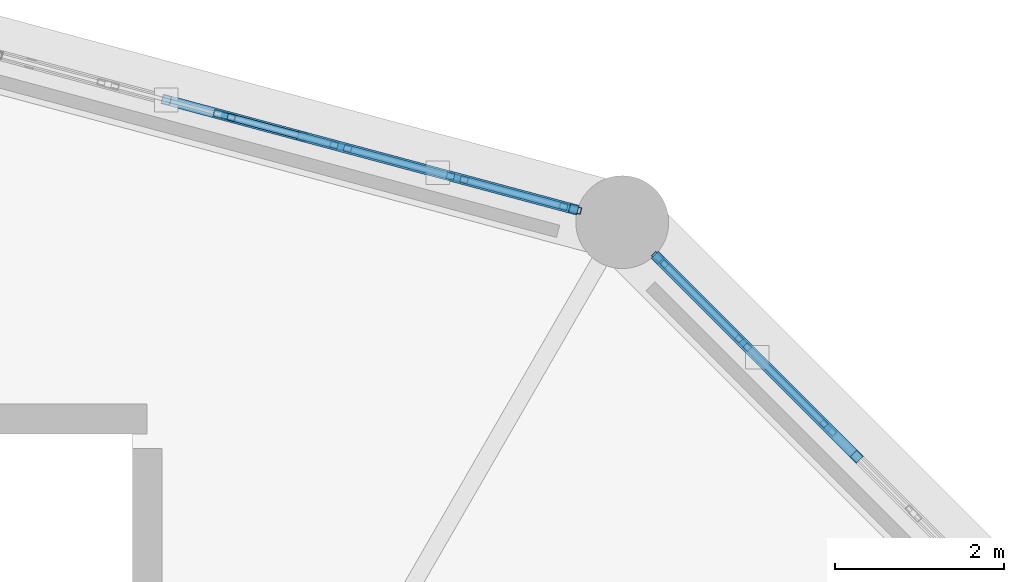
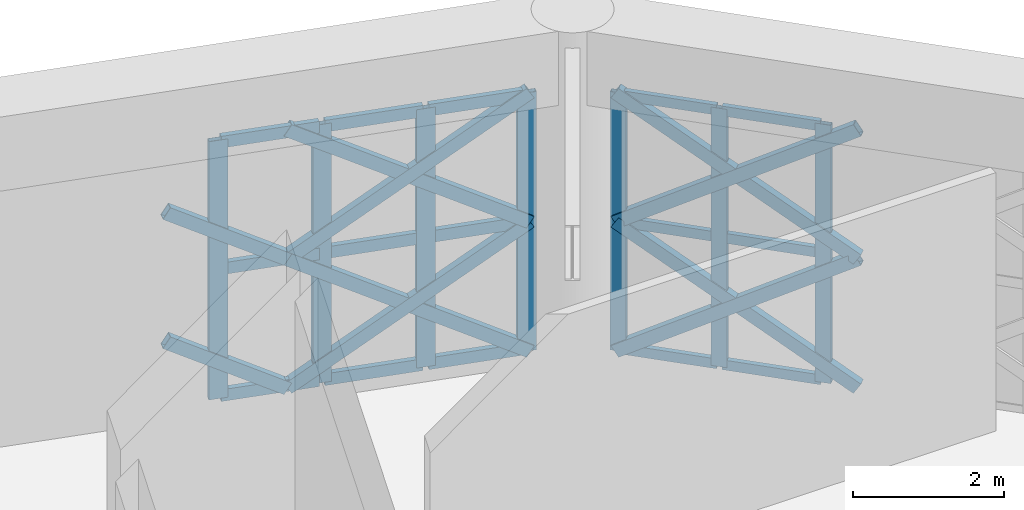
# One storey, part 30 of 72: 36 members, 2 elements without a shape of their own.
"""IFC4 building model written with IfcOpenShell, lengths in metres."""

from ifc_helpers import new_model, si_unit, direction, frame, origin, origin_2d, place, context, subcontext, project, spatial, hollow_rectangle, extrude, material, material_profile, profile_set, type_object, element, aggregate, save


model = new_model("IFC4")

# Units and contexts
model_context = context("Model", 3, precision=1e-05, world=origin(), true_north=direction((0.0, 1.0)))
body_context = subcontext(model_context, "Body", "Model", "MODEL_VIEW")
ifc_project = project(units=[si_unit("LENGTHUNIT", "METRE"), si_unit("AREAUNIT", "SQUARE_METRE"), si_unit("VOLUMEUNIT", "CUBIC_METRE"), si_unit("PLANEANGLEUNIT", "RADIAN"), si_unit("MASSUNIT", "GRAM", prefix="KILO")], contexts=[model_context])

# Site, building, storey
site_placement = place(None, origin())
site = spatial("IfcSite", under=ifc_project, at=site_placement, CompositionType="ELEMENT")
building_placement = place(site_placement, origin())
building = spatial("IfcBuilding", under=site, at=building_placement, Name="Haizhuo Lancet Aquarium", CompositionType="ELEMENT")
storey_placement = place(building_placement, frame((0.0, 0.0, 21.60009765625)))
storey = spatial("IfcBuildingStorey", under=building, at=storey_placement, Name="L04", CompositionType="ELEMENT", Elevation=21.60009765625)

# Curtain wall, members
ifc_material_1 = material(Name="Aluminium 6063-T6", Category="aluminium")
curtain_wall_type = type_object("IfcCurtainWallType", Name="CWO-9990x4180", PredefinedType="NOTDEFINED", material=ifc_material_1)
curtain_wall_1_placement = place(storey_placement, origin())
curtain_wall_1 = element("IfcCurtainWall", 1, at=curtain_wall_1_placement, inside=storey, type_object=curtain_wall_type, Name="L04 curtain wall CW-V1-L04-02", PredefinedType="NOTDEFINED")
ifc_material_profile_1 = material_profile(ifc_material_1, hollow_rectangle(XDim=0.074951171875, YDim=0.219970703125, WallThickness=0.0048828125, at=origin_2d()), Name="ALU-M 75x220x5")
ifc_profile_set_1 = profile_set([ifc_material_profile_1], Name="Aluminium 6063-T6")
member_type_1 = type_object("IfcMemberType", Name="CW-MUL-2", PredefinedType="MULLION", material=ifc_profile_set_1)
member_1_placement = place(storey_placement, frame((11.248046875, 18.258056640625, 0.0), z_axis=(0.0, 0.0, 1.0), x_axis=(0.707106781187, 0.707106781187, 0.0)))
member_1 = element("IfcMember", 2, at=member_1_placement, type_object=member_type_1, Name="CWO-99x41 mullion 1", PredefinedType="MULLION", context=body_context, shape_type="SweptSolid", body=[
    extrude(hollow_rectangle(XDim=0.074951171875, YDim=0.219970703125, WallThickness=0.0048828125, at=origin_2d()), origin(), (0.0, 0.0, 1.0), 4.184814453125),
])
member_2_placement = place(storey_placement, frame((12.22998046875, 17.27587890625, 0.0), z_axis=(0.0, 0.0, 1.0), x_axis=(0.707106781187, 0.707106781187, 0.0)))
member_2 = element("IfcMember", 3, at=member_2_placement, type_object=member_type_1, Name="CWO-99x41 mullion 2", PredefinedType="MULLION", context=body_context, shape_type="SweptSolid", body=[
    extrude(hollow_rectangle(XDim=0.074951171875, YDim=0.219970703125, WallThickness=0.0048828125, at=origin_2d()), origin(), (0.0, 0.0, 1.0), 4.184814453125),
])
member_3_placement = place(storey_placement, frame((13.239013671875, 16.26708984375, 0.0), z_axis=(0.0, 0.0, 1.0), x_axis=(0.707106781187, 0.707106781187, 0.0)))
member_3 = element("IfcMember", 4, at=member_3_placement, type_object=member_type_1, Name="CWO-99x41 mullion 3", PredefinedType="MULLION", context=body_context, shape_type="SweptSolid", body=[
    extrude(hollow_rectangle(XDim=0.074951171875, YDim=0.219970703125, WallThickness=0.0048828125, at=origin_2d()), origin(), (0.0, 0.0, 1.0), 4.184814453125),
])

curtain_wall_2_placement = place(storey_placement, origin())
curtain_wall_2 = element("IfcCurtainWall", 5, at=curtain_wall_2_placement, inside=storey, type_object=curtain_wall_type, Name="L04 curtain wall CW-V1-L04-03", PredefinedType="NOTDEFINED")
ifc_material_profile_2 = material_profile(ifc_material_1, hollow_rectangle(XDim=0.080078125, YDim=0.260009765625, WallThickness=0.0048828125, at=origin_2d()), Name="ALU-M 80x260x5")
ifc_profile_set_2 = profile_set([ifc_material_profile_2], Name="Aluminium 6063-T6")
member_type_2 = type_object("IfcMemberType", Name="CW-MUL-3", PredefinedType="MULLION", material=ifc_profile_set_2)
member_4_placement = place(storey_placement, frame((6.089111328125, 19.968017578125, 0.0), z_axis=(0.0, 0.0, 1.0), x_axis=(0.258852762117, 0.965916791212, 0.0)))
member_4 = element("IfcMember", 6, at=member_4_placement, type_object=member_type_2, Name="CWO-99x41 mullion 5", PredefinedType="MULLION", context=body_context, shape_type="SweptSolid", body=[
    extrude(hollow_rectangle(XDim=0.080078125, YDim=0.260009765625, WallThickness=0.0048828125, at=origin_2d()), origin(), (0.0, 0.0, 1.0), 4.184814453125),
])
member_5_placement = place(storey_placement, frame((7.468017578125, 19.59912109375, 0.0), z_axis=(0.0, 0.0, 1.0), x_axis=(0.258852762117, 0.965916791212, 0.0)))
member_5 = element("IfcMember", 7, at=member_5_placement, type_object=member_type_2, Name="CWO-99x41 mullion 6", PredefinedType="MULLION", context=body_context, shape_type="SweptSolid", body=[
    extrude(hollow_rectangle(XDim=0.080078125, YDim=0.260009765625, WallThickness=0.0048828125, at=origin_2d()), origin(), (0.0, 0.0, 1.0), 4.184814453125),
])
member_6_placement = place(storey_placement, frame((8.845947265625, 19.22900390625, 0.0), z_axis=(0.0, 0.0, 1.0), x_axis=(0.258852762117, 0.965916791212, 0.0)))
member_6 = element("IfcMember", 8, at=member_6_placement, type_object=member_type_2, Name="CWO-99x41 mullion 7", PredefinedType="MULLION", context=body_context, shape_type="SweptSolid", body=[
    extrude(hollow_rectangle(XDim=0.080078125, YDim=0.260009765625, WallThickness=0.0048828125, at=origin_2d()), origin(), (0.0, 0.0, 1.0), 4.184814453125),
])
member_7_placement = place(storey_placement, frame((10.18603515625, 18.8701171875, 0.0), z_axis=(0.0, 0.0, 1.0), x_axis=(0.258852762117, 0.965916791212, 0.0)))
member_7 = element("IfcMember", 9, at=member_7_placement, type_object=member_type_2, Name="CWO-99x41 mullion 8", PredefinedType="MULLION", context=body_context, shape_type="SweptSolid", body=[
    extrude(hollow_rectangle(XDim=0.080078125, YDim=0.260009765625, WallThickness=0.0048828125, at=origin_2d()), origin(), (0.0, 0.0, 1.0), 4.184814453125),
])

# Member
ifc_material_profile_3 = material_profile(ifc_material_1, hollow_rectangle(XDim=0.074951171875, YDim=0.159912109375, WallThickness=0.00390625, at=origin_2d()), Name="ALU-T 75x160x4")
ifc_profile_set_3 = profile_set([ifc_material_profile_3], Name="Aluminium 6063-T6")
member_type_3 = type_object("IfcMemberType", Name="CW-TRN-2", PredefinedType="NOTDEFINED", material=ifc_profile_set_3)
member_8_placement = place(storey_placement, frame((11.27392578125, 18.23193359375, 0.037841796875), z_axis=(0.70719958344, -0.707013966752, 0.0), x_axis=(0.707013966752, 0.70719958344, 0.0)))
member_8 = element("IfcMember", 10, at=member_8_placement, type_object=member_type_3, Name="CWO-99x41 transom 1.1", ObjectType="TRANSOM", PredefinedType="USERDEFINED", context=body_context, shape_type="SweptSolid", body=[
    extrude(hollow_rectangle(XDim=0.074951171875, YDim=0.159912109375, WallThickness=0.00390625, at=origin_2d()), origin(), (0.0, 0.0, 1.0), 1.315185546875),
])

member_9_placement = place(storey_placement, frame((11.27392578125, 18.23193359375, 2.093017578125), z_axis=(0.70719958344, -0.707013966752, 0.0), x_axis=(0.707013966752, 0.70719958344, 0.0)))
member_9 = element("IfcMember", 11, at=member_9_placement, type_object=member_type_3, Name="CWO-99x41 transom 1.2", ObjectType="TRANSOM", PredefinedType="USERDEFINED", context=body_context, shape_type="SweptSolid", body=[
    extrude(hollow_rectangle(XDim=0.074951171875, YDim=0.159912109375, WallThickness=0.00390625, at=origin_2d()), origin(), (0.0, 0.0, 1.0), 1.315185546875),
])

member_10_placement = place(storey_placement, frame((11.27392578125, 18.23193359375, 4.14697265625), z_axis=(0.70719958344, -0.707013966752, 0.0), x_axis=(0.707013966752, 0.70719958344, 0.0)))
member_10 = element("IfcMember", 12, at=member_10_placement, type_object=member_type_3, Name="CWO-99x41 transom 1.3", ObjectType="TRANSOM", PredefinedType="USERDEFINED", context=body_context, shape_type="SweptSolid", body=[
    extrude(hollow_rectangle(XDim=0.074951171875, YDim=0.159912109375, WallThickness=0.00390625, at=origin_2d()), origin(), (0.0, 0.0, 1.0), 1.315185546875),
])

member_11_placement = place(storey_placement, frame((12.257080078125, 17.2490234375, 0.037841796875), z_axis=(0.707016479575, -0.707197071268, 0.0), x_axis=(0.707197071268, 0.707016479575, 0.0)))
member_11 = element("IfcMember", 13, at=member_11_placement, type_object=member_type_3, Name="CWO-99x41 transom 2.1", ObjectType="TRANSOM", PredefinedType="USERDEFINED", context=body_context, shape_type="SweptSolid", body=[
    extrude(hollow_rectangle(XDim=0.074951171875, YDim=0.159912109375, WallThickness=0.00390625, at=origin_2d()), origin(), (0.0, 0.0, 1.0), 1.351806640625),
])

member_12_placement = place(storey_placement, frame((12.257080078125, 17.2490234375, 2.093017578125), z_axis=(0.707016479575, -0.707197071268, 0.0), x_axis=(0.707197071268, 0.707016479575, 0.0)))
member_12 = element("IfcMember", 14, at=member_12_placement, type_object=member_type_3, Name="CWO-99x41 transom 2.2", ObjectType="TRANSOM", PredefinedType="USERDEFINED", context=body_context, shape_type="SweptSolid", body=[
    extrude(hollow_rectangle(XDim=0.074951171875, YDim=0.159912109375, WallThickness=0.00390625, at=origin_2d()), origin(), (0.0, 0.0, 1.0), 1.351806640625),
])

member_13_placement = place(storey_placement, frame((12.257080078125, 17.2490234375, 4.14697265625), z_axis=(0.707016479575, -0.707197071268, 0.0), x_axis=(0.707197071268, 0.707016479575, 0.0)))
member_13 = element("IfcMember", 15, at=member_13_placement, type_object=member_type_3, Name="CWO-99x41 transom 2.3", ObjectType="TRANSOM", PredefinedType="USERDEFINED", context=body_context, shape_type="SweptSolid", body=[
    extrude(hollow_rectangle(XDim=0.074951171875, YDim=0.159912109375, WallThickness=0.00390625, at=origin_2d()), origin(), (0.0, 0.0, 1.0), 1.351806640625),
])

aggregate(curtain_wall_1, [member_1, member_2, member_3, member_8, member_9, member_10, member_11, member_12, member_13])

ifc_material_profile_4 = material_profile(ifc_material_1, hollow_rectangle(XDim=0.080078125, YDim=0.18994140625, WallThickness=0.0048828125, at=origin_2d()), Name="ALU-T 80x190x5")
ifc_profile_set_4 = profile_set([ifc_material_profile_4], Name="Aluminium 6063-T6")
member_type_4 = type_object("IfcMemberType", Name="CW-TRN-3", PredefinedType="NOTDEFINED", material=ifc_profile_set_4)
member_14_placement = place(storey_placement, frame((6.1279296875, 19.9580078125, 0.039794921875), z_axis=(0.965830666302, -0.259173926217, 0.0), x_axis=(0.259173926217, 0.965830666302, 0.0)))
member_14 = element("IfcMember", 16, at=member_14_placement, type_object=member_type_4, Name="CWO-99x41 transom 5.1", ObjectType="TRANSOM", PredefinedType="USERDEFINED", context=body_context, shape_type="SweptSolid", body=[
    extrude(hollow_rectangle(XDim=0.080078125, YDim=0.18994140625, WallThickness=0.0048828125, at=origin_2d()), origin(), (0.0, 0.0, 1.0), 1.34716796875),
])

member_15_placement = place(storey_placement, frame((6.1279296875, 19.9580078125, 2.093017578125), z_axis=(0.965830666302, -0.259173926217, 0.0), x_axis=(0.259173926217, 0.965830666302, 0.0)))
member_15 = element("IfcMember", 17, at=member_15_placement, type_object=member_type_4, Name="CWO-99x41 transom 5.2", ObjectType="TRANSOM", PredefinedType="USERDEFINED", context=body_context, shape_type="SweptSolid", body=[
    extrude(hollow_rectangle(XDim=0.080078125, YDim=0.18994140625, WallThickness=0.0048828125, at=origin_2d()), origin(), (0.0, 0.0, 1.0), 1.34716796875),
])

member_16_placement = place(storey_placement, frame((6.1279296875, 19.9580078125, 4.14501953125), z_axis=(0.965830666302, -0.259173926217, 0.0), x_axis=(0.259173926217, 0.965830666302, 0.0)))
member_16 = element("IfcMember", 18, at=member_16_placement, type_object=member_type_4, Name="CWO-99x41 transom 5.3", ObjectType="TRANSOM", PredefinedType="USERDEFINED", context=body_context, shape_type="SweptSolid", body=[
    extrude(hollow_rectangle(XDim=0.080078125, YDim=0.18994140625, WallThickness=0.0048828125, at=origin_2d()), origin(), (0.0, 0.0, 1.0), 1.34716796875),
])

member_17_placement = place(storey_placement, frame((7.506103515625, 19.589111328125, 0.039794921875), z_axis=(0.965879311718, -0.25899257749, 0.0), x_axis=(0.25899257749, 0.965879311718, 0.0)))
member_17 = element("IfcMember", 19, at=member_17_placement, type_object=member_type_4, Name="CWO-99x41 transom 6.1", ObjectType="TRANSOM", PredefinedType="USERDEFINED", context=body_context, shape_type="SweptSolid", body=[
    extrude(hollow_rectangle(XDim=0.080078125, YDim=0.18994140625, WallThickness=0.0048828125, at=origin_2d()), origin(), (0.0, 0.0, 1.0), 1.347900390625),
])

member_18_placement = place(storey_placement, frame((7.506103515625, 19.589111328125, 2.093017578125), z_axis=(0.965879311718, -0.25899257749, 0.0), x_axis=(0.25899257749, 0.965879311718, 0.0)))
member_18 = element("IfcMember", 20, at=member_18_placement, type_object=member_type_4, Name="CWO-99x41 transom 6.2", ObjectType="TRANSOM", PredefinedType="USERDEFINED", context=body_context, shape_type="SweptSolid", body=[
    extrude(hollow_rectangle(XDim=0.080078125, YDim=0.18994140625, WallThickness=0.0048828125, at=origin_2d()), origin(), (0.0, 0.0, 1.0), 1.347900390625),
])

member_19_placement = place(storey_placement, frame((7.506103515625, 19.589111328125, 4.14501953125), z_axis=(0.965879311718, -0.25899257749, 0.0), x_axis=(0.25899257749, 0.965879311718, 0.0)))
member_19 = element("IfcMember", 21, at=member_19_placement, type_object=member_type_4, Name="CWO-99x41 transom 6.3", ObjectType="TRANSOM", PredefinedType="USERDEFINED", context=body_context, shape_type="SweptSolid", body=[
    extrude(hollow_rectangle(XDim=0.080078125, YDim=0.18994140625, WallThickness=0.0048828125, at=origin_2d()), origin(), (0.0, 0.0, 1.0), 1.347900390625),
])

member_20_placement = place(storey_placement, frame((8.885009765625, 19.218994140625, 0.039794921875), z_axis=(0.966023851958, -0.258452930816, 0.0), x_axis=(0.258452930816, 0.966023851958, 0.0)))
member_20 = element("IfcMember", 22, at=member_20_placement, type_object=member_type_4, Name="CWO-99x41 transom 7.1", ObjectType="TRANSOM", PredefinedType="USERDEFINED", context=body_context, shape_type="SweptSolid", body=[
    extrude(hollow_rectangle(XDim=0.080078125, YDim=0.18994140625, WallThickness=0.0048828125, at=origin_2d()), origin(), (0.0, 0.0, 1.0), 1.307373046875),
])

member_21_placement = place(storey_placement, frame((8.885009765625, 19.218994140625, 2.093017578125), z_axis=(0.966023851958, -0.258452930816, 0.0), x_axis=(0.258452930816, 0.966023851958, 0.0)))
member_21 = element("IfcMember", 23, at=member_21_placement, type_object=member_type_4, Name="CWO-99x41 transom 7.2", ObjectType="TRANSOM", PredefinedType="USERDEFINED", context=body_context, shape_type="SweptSolid", body=[
    extrude(hollow_rectangle(XDim=0.080078125, YDim=0.18994140625, WallThickness=0.0048828125, at=origin_2d()), origin(), (0.0, 0.0, 1.0), 1.307373046875),
])

member_22_placement = place(storey_placement, frame((8.885009765625, 19.218994140625, 4.14501953125), z_axis=(0.966023851958, -0.258452930816, 0.0), x_axis=(0.258452930816, 0.966023851958, 0.0)))
member_22 = element("IfcMember", 24, at=member_22_placement, type_object=member_type_4, Name="CWO-99x41 transom 7.3", ObjectType="TRANSOM", PredefinedType="USERDEFINED", context=body_context, shape_type="SweptSolid", body=[
    extrude(hollow_rectangle(XDim=0.080078125, YDim=0.18994140625, WallThickness=0.0048828125, at=origin_2d()), origin(), (0.0, 0.0, 1.0), 1.307373046875),
])

aggregate(curtain_wall_2, [member_4, member_5, member_6, member_7, member_14, member_15, member_16, member_17, member_18, member_19, member_20, member_21, member_22])

# Members
ifc_material_2 = material(Name="Steel S355", Category="steel")
ifc_material_profile_5 = material_profile(ifc_material_2, hollow_rectangle(XDim=0.1201171875, YDim=0.199951171875, WallThickness=0.008056640625, at=origin_2d()), Name="RHS 120x200x8")
ifc_profile_set_5 = profile_set([ifc_material_profile_5], Name="Steel S355")
member_type_5 = type_object("IfcMemberType", Name="MEM-LB-RHS120x200", PredefinedType="BRACE", material=ifc_profile_set_5)
member_23_placement = place(storey_placement, frame((11.220947265625, 18.284912109375, 0.0), z_axis=(0.598695261039, -0.598695261039, 0.532097706084), x_axis=(0.707106781187, 0.707106781187, 0.0)))
element("IfcMember", 25, at=member_23_placement, inside=storey, type_object=member_type_5, Name="Gothic lancet continuous diagonal brace CW-V1-L04-02 1A", PredefinedType="BRACE", context=body_context, shape_type="SweptSolid", body=[
    extrude(hollow_rectangle(XDim=0.1201171875, YDim=0.199951171875, WallThickness=0.008056640625, at=origin_2d()), origin(), (0.0, 0.0, 1.0), 3.93359375),
])
member_24_placement = place(storey_placement, frame((13.575927734375, 15.929931640625, 0.0), z_axis=(-0.598387663747, 0.598884148015, 0.532231135065), x_axis=(-0.707399943164, -0.706813497615, 0.0)))
element("IfcMember", 26, at=member_24_placement, inside=storey, type_object=member_type_5, Name="Gothic lancet split diagonal brace CW-V1-L04-02 1B1", PredefinedType="BRACE", context=body_context, shape_type="SweptSolid", body=[
    extrude(hollow_rectangle(XDim=0.1201171875, YDim=0.199951171875, WallThickness=0.008056640625, at=origin_2d()), origin(), (0.0, 0.0, 1.0), 1.967041015625),
])
member_25_placement = place(storey_placement, frame((12.39892578125, 17.10791015625, 1.046875), z_axis=(-0.599002830596, 0.598506247939, 0.531964171835), x_axis=(-0.706813497615, -0.707399943164, 0.0)))
element("IfcMember", 27, at=member_25_placement, inside=storey, type_object=member_type_5, Name="Gothic lancet split diagonal brace CW-V1-L04-02 1B2", PredefinedType="BRACE", context=body_context, shape_type="SweptSolid", body=[
    extrude(hollow_rectangle(XDim=0.1201171875, YDim=0.199951171875, WallThickness=0.008056640625, at=origin_2d()), origin(), (0.0, 0.0, 1.0), 1.966552734375),
])
member_26_placement = place(storey_placement, frame((11.220947265625, 18.284912109375, 2.093017578125), z_axis=(0.598794117865, -0.598794117865, 0.531875181616), x_axis=(0.707106781187, 0.707106781187, 0.0)))
element("IfcMember", 28, at=member_26_placement, inside=storey, type_object=member_type_5, Name="Gothic lancet continuous diagonal brace CW-V1-L04-02 2A", PredefinedType="BRACE", context=body_context, shape_type="SweptSolid", body=[
    extrude(hollow_rectangle(XDim=0.1201171875, YDim=0.199951171875, WallThickness=0.008056640625, at=origin_2d()), origin(), (0.0, 0.0, 1.0), 3.932861328125),
])
for number, where, z_axis, x_axis, name in (
    (29, (13.575927734375, 15.929931640625, 2.093017578125), (-0.59854577322, 0.599042388672, 0.531875148823), (-0.707399943164, -0.706813497615, 0.0), "Gothic lancet split diagonal brace CW-V1-L04-02 2B1"),
    (30, (12.39892578125, 17.10791015625, 3.138916015625), (-0.599042388672, 0.59854577322, 0.531875148823), (-0.706813497615, -0.707399943164, 0.0), "Gothic lancet split diagonal brace CW-V1-L04-02 2B2"),
):
    element("IfcMember", number, at=place(storey_placement, frame(where, z_axis=z_axis, x_axis=x_axis)), inside=storey, type_object=member_type_5, Name=name, PredefinedType="BRACE", context=body_context, shape_type="SweptSolid", body=[
        extrude(hollow_rectangle(XDim=0.1201171875, YDim=0.199951171875, WallThickness=0.008056640625, at=origin_2d()), origin(), (0.0, 0.0, 1.0), 1.966552734375),
    ])
member_27_placement = place(storey_placement, frame((7.008056640625, 19.721923828125, 0.0), z_axis=(-0.817682100833, 0.219223711867, 0.532294041046), x_axis=(-0.258958409476, -0.965888472942, 0.0)))
element("IfcMember", 31, at=member_27_placement, inside=storey, type_object=member_type_5, Name="Gothic lancet split diagonal brace CW-V1-L04-03 3B1", PredefinedType="BRACE", context=body_context, shape_type="SweptSolid", body=[
    extrude(hollow_rectangle(XDim=0.1201171875, YDim=0.199951171875, WallThickness=0.008056640625, at=origin_2d()), origin(), (0.0, 0.0, 1.0), 1.966796875),
])
member_28_placement = place(storey_placement, frame((7.008056640625, 19.721923828125, 2.093017578125), z_axis=(-0.817898204654, 0.219281650132, 0.53193804596), x_axis=(-0.258958409476, -0.965888472942, 0.0)))
element("IfcMember", 32, at=member_28_placement, inside=storey, type_object=member_type_5, Name="Gothic lancet split diagonal brace CW-V1-L04-03 4B1", PredefinedType="BRACE", context=body_context, shape_type="SweptSolid", body=[
    extrude(hollow_rectangle(XDim=0.1201171875, YDim=0.199951171875, WallThickness=0.008056640625, at=origin_2d()), origin(), (0.0, 0.0, 1.0), 1.96630859375),
])
member_29_placement = place(storey_placement, frame((7.008056640625, 19.721923828125, 0.0), z_axis=(0.817847065908, -0.219093886519, 0.532094019582), x_axis=(0.258766619754, 0.965939872094, 0.0)))
element("IfcMember", 33, at=member_29_placement, inside=storey, type_object=member_type_5, Name="Gothic lancet continuous diagonal brace CW-V1-L04-03 5A", PredefinedType="BRACE", context=body_context, shape_type="SweptSolid", body=[
    extrude(hollow_rectangle(XDim=0.1201171875, YDim=0.199951171875, WallThickness=0.008056640625, at=origin_2d()), origin(), (0.0, 0.0, 1.0), 3.93359375),
])
member_30_placement = place(storey_placement, frame((10.22509765625, 18.860107421875, 0.0), z_axis=(-0.81770434743, 0.219105537151, 0.532308523118), x_axis=(-0.25882159942, -0.965925141858, 0.0)))
element("IfcMember", 34, at=member_30_placement, inside=storey, type_object=member_type_5, Name="Gothic lancet split diagonal brace CW-V1-L04-03 5B1", PredefinedType="BRACE", context=body_context, shape_type="SweptSolid", body=[
    extrude(hollow_rectangle(XDim=0.1201171875, YDim=0.199951171875, WallThickness=0.008056640625, at=origin_2d()), origin(), (0.0, 0.0, 1.0), 1.966552734375),
])
member_31_placement = place(storey_placement, frame((8.616943359375, 19.291015625, 1.046875), z_axis=(-0.817989714809, 0.219082222555, 0.531879503484), x_axis=(-0.258711662602, -0.965954592946, 0.0)))
element("IfcMember", 35, at=member_31_placement, inside=storey, type_object=member_type_5, Name="Gothic lancet split diagonal brace CW-V1-L04-03 5B2", PredefinedType="BRACE", context=body_context, shape_type="SweptSolid", body=[
    extrude(hollow_rectangle(XDim=0.1201171875, YDim=0.199951171875, WallThickness=0.008056640625, at=origin_2d()), origin(), (0.0, 0.0, 1.0), 1.966796875),
])
member_32_placement = place(storey_placement, frame((7.008056640625, 19.721923828125, 2.093017578125), z_axis=(0.817982107307, -0.219130062897, 0.531871495439), x_axis=(0.258766619754, 0.965939872094, 0.0)))
element("IfcMember", 36, at=member_32_placement, inside=storey, type_object=member_type_5, Name="Gothic lancet continuous diagonal brace CW-V1-L04-03 6A", PredefinedType="BRACE", context=body_context, shape_type="SweptSolid", body=[
    extrude(hollow_rectangle(XDim=0.1201171875, YDim=0.199951171875, WallThickness=0.008056640625, at=origin_2d()), origin(), (0.0, 0.0, 1.0), 3.932861328125),
])
member_33_placement = place(storey_placement, frame((10.22509765625, 18.860107421875, 2.093017578125), z_axis=(-0.817920468895, 0.219163447336, 0.531952525997), x_axis=(-0.25882159942, -0.965925141858, 0.0)))
element("IfcMember", 37, at=member_33_placement, inside=storey, type_object=member_type_5, Name="Gothic lancet split diagonal brace CW-V1-L04-03 6B1", PredefinedType="BRACE", context=body_context, shape_type="SweptSolid", body=[
    extrude(hollow_rectangle(XDim=0.1201171875, YDim=0.199951171875, WallThickness=0.008056640625, at=origin_2d()), origin(), (0.0, 0.0, 1.0), 1.966064453125),
])
member_34_placement = place(storey_placement, frame((8.616943359375, 19.291015625, 3.138916015625), z_axis=(-0.818043717557, 0.219096686113, 0.531790483462), x_axis=(-0.258711662602, -0.965954592946, 0.0)))
element("IfcMember", 38, at=member_34_placement, inside=storey, type_object=member_type_5, Name="Gothic lancet split diagonal brace CW-V1-L04-03 6B2", PredefinedType="BRACE", context=body_context, shape_type="SweptSolid", body=[
    extrude(hollow_rectangle(XDim=0.1201171875, YDim=0.199951171875, WallThickness=0.008056640625, at=origin_2d()), origin(), (0.0, 0.0, 1.0), 1.966796875),
])

save(model, "model.ifc")
